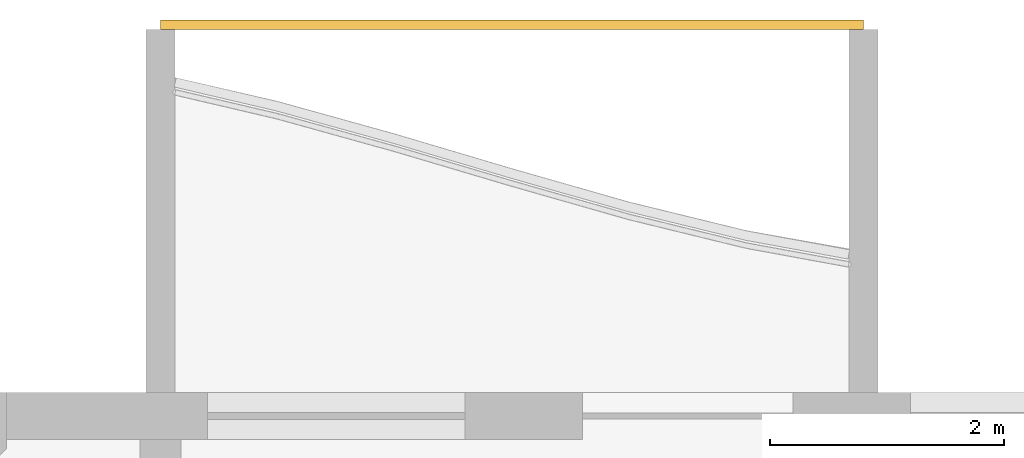
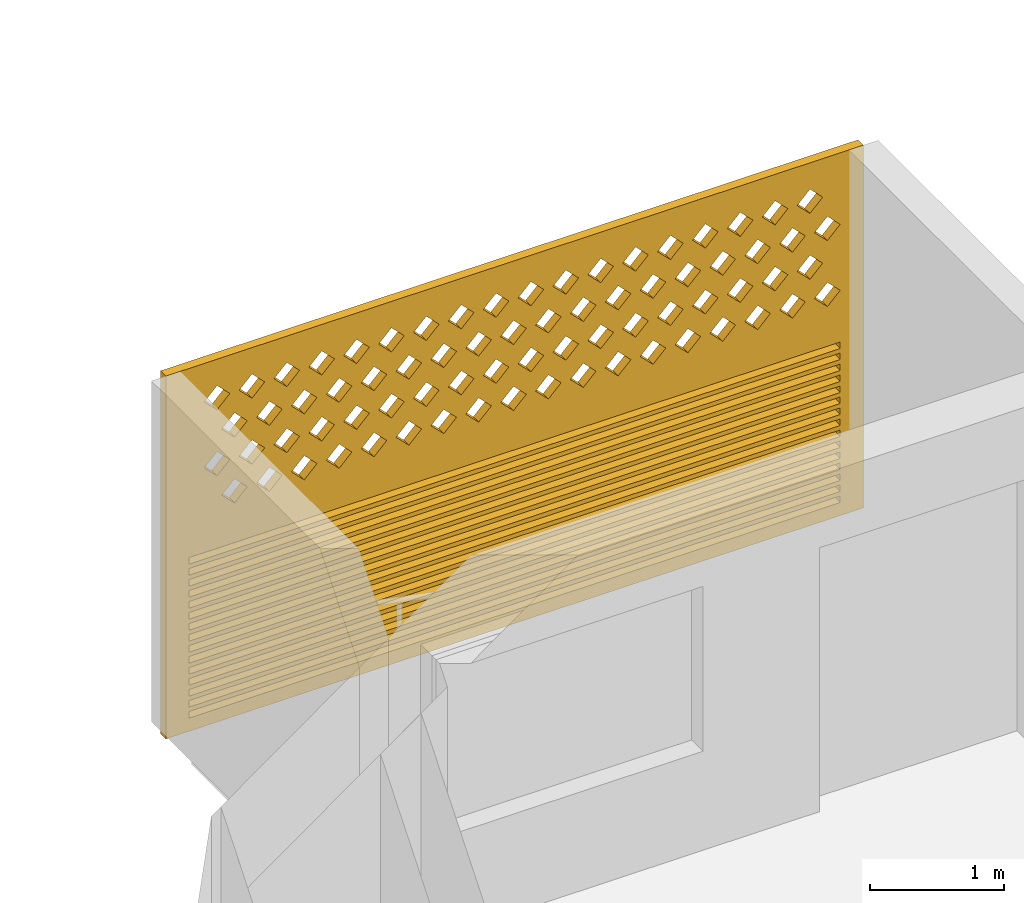
# One storey, part 20 of 31: 1 covering.
"""IFC4 building model written with IfcOpenShell, lengths in metres."""

from ifc_helpers import new_model, si_unit, direction, frame, origin, place, context, subcontext, project, spatial, polyline, outline, extrude, source, transform, mapped, material, material_profile, profile_set, type_object, element, save


model = new_model("IFC4")

# Units and contexts
model_context = context("Model", 3, precision=1e-05, world=origin(), true_north=direction((0.0, 1.0)))
body_context = subcontext(model_context, "Body", "Model", "MODEL_VIEW")
ifc_project = project(units=[si_unit("LENGTHUNIT", "METRE"), si_unit("AREAUNIT", "SQUARE_METRE"), si_unit("VOLUMEUNIT", "CUBIC_METRE"), si_unit("PLANEANGLEUNIT", "RADIAN"), si_unit("MASSUNIT", "GRAM", prefix="KILO")], contexts=[model_context])

# Site, building, storey
site_placement = place(None, origin())
site = spatial("IfcSite", under=ifc_project, at=site_placement, CompositionType="ELEMENT")
building_placement = place(site_placement, origin())
building = spatial("IfcBuilding", under=site, at=building_placement, Name="Poui Terraces", CompositionType="ELEMENT")
storey_placement = place(building_placement, frame((0.0, 0.0, 82.800048828125)))
storey = spatial("IfcBuildingStorey", under=building, at=storey_placement, Name="L22", CompositionType="ELEMENT", Elevation=82.800048828125)

# Covering
ifc_material = material(Name="Terracotta screen", Category="masonry")
ifc_material_profile = material_profile(ifc_material, outline(polyline([(-3.0, -1.64990234375), (3.0, -1.64990234375), (3.0, 1.64990234375), (-3.0, 1.64990234375), (-3.0, -1.64990234375)]), holes=[polyline([(-2.800048828125, 0.39990234375), (-2.68994140625, 0.2900390625), (-2.580078125, 0.39990234375), (-2.68994140625, 0.510009765625), (-2.800048828125, 0.39990234375)]), polyline([(-2.5, 0.39990234375), (-2.389892578125, 0.2900390625), (-2.280029296875, 0.39990234375), (-2.389892578125, 0.510009765625), (-2.5, 0.39990234375)]), polyline([(-2.199951171875, 0.39990234375), (-2.090087890625, 0.2900390625), (-1.97998046875, 0.39990234375), (-2.090087890625, 0.510009765625), (-2.199951171875, 0.39990234375)]), polyline([(-1.89990234375, 0.39990234375), (-1.7900390625, 0.2900390625), (-1.679931640625, 0.39990234375), (-1.7900390625, 0.510009765625), (-1.89990234375, 0.39990234375)]), polyline([(-1.60009765625, 0.39990234375), (-1.489990234375, 0.2900390625), (-1.3798828125, 0.39990234375), (-1.489990234375, 0.510009765625), (-1.60009765625, 0.39990234375)]), polyline([(-1.300048828125, 0.39990234375), (-1.18994140625, 0.2900390625), (-1.080078125, 0.39990234375), (-1.18994140625, 0.510009765625), (-1.300048828125, 0.39990234375)]), polyline([(-1.0, 0.39990234375), (-0.889892578125, 0.2900390625), (-0.780029296875, 0.39990234375), (-0.889892578125, 0.510009765625), (-1.0, 0.39990234375)]), polyline([(-0.699951171875, 0.39990234375), (-0.590087890625, 0.2900390625), (-0.47998046875, 0.39990234375), (-0.590087890625, 0.510009765625), (-0.699951171875, 0.39990234375)]), polyline([(-0.39990234375, 0.39990234375), (-0.2900390625, 0.2900390625), (-0.179931640625, 0.39990234375), (-0.2900390625, 0.510009765625), (-0.39990234375, 0.39990234375)]), polyline([(-0.10009765625, 0.39990234375), (0.010009765625, 0.2900390625), (0.1201171875, 0.39990234375), (0.010009765625, 0.510009765625), (-0.10009765625, 0.39990234375)]), polyline([(0.199951171875, 0.39990234375), (0.31005859375, 0.2900390625), (0.419921875, 0.39990234375), (0.31005859375, 0.510009765625), (0.199951171875, 0.39990234375)]), polyline([(0.5, 0.39990234375), (0.610107421875, 0.2900390625), (0.719970703125, 0.39990234375), (0.610107421875, 0.510009765625), (0.5, 0.39990234375)]), polyline([(0.800048828125, 0.39990234375), (0.909912109375, 0.2900390625), (1.02001953125, 0.39990234375), (0.909912109375, 0.510009765625), (0.800048828125, 0.39990234375)]), polyline([(1.10009765625, 0.39990234375), (1.2099609375, 0.2900390625), (1.320068359375, 0.39990234375), (1.2099609375, 0.510009765625), (1.10009765625, 0.39990234375)]), polyline([(1.39990234375, 0.39990234375), (1.510009765625, 0.2900390625), (1.6201171875, 0.39990234375), (1.510009765625, 0.510009765625), (1.39990234375, 0.39990234375)]), polyline([(1.699951171875, 0.39990234375), (1.81005859375, 0.2900390625), (1.919921875, 0.39990234375), (1.81005859375, 0.510009765625), (1.699951171875, 0.39990234375)]), polyline([(2.0, 0.39990234375), (2.110107421875, 0.2900390625), (2.219970703125, 0.39990234375), (2.110107421875, 0.510009765625), (2.0, 0.39990234375)]), polyline([(2.300048828125, 0.39990234375), (2.409912109375, 0.2900390625), (2.52001953125, 0.39990234375), (2.409912109375, 0.510009765625), (2.300048828125, 0.39990234375)]), polyline([(-2.64990234375, 0.699951171875), (-2.5400390625, 0.590087890625), (-2.429931640625, 0.699951171875), (-2.5400390625, 0.81005859375), (-2.64990234375, 0.699951171875)]), polyline([(-2.35009765625, 0.699951171875), (-2.239990234375, 0.590087890625), (-2.1298828125, 0.699951171875), (-2.239990234375, 0.81005859375), (-2.35009765625, 0.699951171875)]), polyline([(-2.050048828125, 0.699951171875), (-1.93994140625, 0.590087890625), (-1.830078125, 0.699951171875), (-1.93994140625, 0.81005859375), (-2.050048828125, 0.699951171875)]), polyline([(-1.75, 0.699951171875), (-1.639892578125, 0.590087890625), (-1.530029296875, 0.699951171875), (-1.639892578125, 0.81005859375), (-1.75, 0.699951171875)]), polyline([(-1.449951171875, 0.699951171875), (-1.340087890625, 0.590087890625), (-1.22998046875, 0.699951171875), (-1.340087890625, 0.81005859375), (-1.449951171875, 0.699951171875)]), polyline([(-1.14990234375, 0.699951171875), (-1.0400390625, 0.590087890625), (-0.929931640625, 0.699951171875), (-1.0400390625, 0.81005859375), (-1.14990234375, 0.699951171875)]), polyline([(-0.85009765625, 0.699951171875), (-0.739990234375, 0.590087890625), (-0.6298828125, 0.699951171875), (-0.739990234375, 0.81005859375), (-0.85009765625, 0.699951171875)]), polyline([(-0.550048828125, 0.699951171875), (-0.43994140625, 0.590087890625), (-0.330078125, 0.699951171875), (-0.43994140625, 0.81005859375), (-0.550048828125, 0.699951171875)]), polyline([(-0.25, 0.699951171875), (-0.139892578125, 0.590087890625), (-0.030029296875, 0.699951171875), (-0.139892578125, 0.81005859375), (-0.25, 0.699951171875)]), polyline([(0.050048828125, 0.699951171875), (0.159912109375, 0.590087890625), (0.27001953125, 0.699951171875), (0.159912109375, 0.81005859375), (0.050048828125, 0.699951171875)]), polyline([(0.35009765625, 0.699951171875), (0.4599609375, 0.590087890625), (0.570068359375, 0.699951171875), (0.4599609375, 0.81005859375), (0.35009765625, 0.699951171875)]), polyline([(0.64990234375, 0.699951171875), (0.760009765625, 0.590087890625), (0.8701171875, 0.699951171875), (0.760009765625, 0.81005859375), (0.64990234375, 0.699951171875)]), polyline([(0.949951171875, 0.699951171875), (1.06005859375, 0.590087890625), (1.169921875, 0.699951171875), (1.06005859375, 0.81005859375), (0.949951171875, 0.699951171875)]), polyline([(1.25, 0.699951171875), (1.360107421875, 0.590087890625), (1.469970703125, 0.699951171875), (1.360107421875, 0.81005859375), (1.25, 0.699951171875)]), polyline([(1.550048828125, 0.699951171875), (1.659912109375, 0.590087890625), (1.77001953125, 0.699951171875), (1.659912109375, 0.81005859375), (1.550048828125, 0.699951171875)]), polyline([(1.85009765625, 0.699951171875), (1.9599609375, 0.590087890625), (2.070068359375, 0.699951171875), (1.9599609375, 0.81005859375), (1.85009765625, 0.699951171875)]), polyline([(2.14990234375, 0.699951171875), (2.260009765625, 0.590087890625), (2.3701171875, 0.699951171875), (2.260009765625, 0.81005859375), (2.14990234375, 0.699951171875)]), polyline([(2.449951171875, 0.699951171875), (2.56005859375, 0.590087890625), (2.669921875, 0.699951171875), (2.56005859375, 0.81005859375), (2.449951171875, 0.699951171875)]), polyline([(-2.800048828125, 1.0), (-2.68994140625, 0.889892578125), (-2.580078125, 1.0), (-2.68994140625, 1.110107421875), (-2.800048828125, 1.0)]), polyline([(-2.5, 1.0), (-2.389892578125, 0.889892578125), (-2.280029296875, 1.0), (-2.389892578125, 1.110107421875), (-2.5, 1.0)]), polyline([(-2.199951171875, 1.0), (-2.090087890625, 0.889892578125), (-1.97998046875, 1.0), (-2.090087890625, 1.110107421875), (-2.199951171875, 1.0)]), polyline([(-1.89990234375, 1.0), (-1.7900390625, 0.889892578125), (-1.679931640625, 1.0), (-1.7900390625, 1.110107421875), (-1.89990234375, 1.0)]), polyline([(-1.60009765625, 1.0), (-1.489990234375, 0.889892578125), (-1.3798828125, 1.0), (-1.489990234375, 1.110107421875), (-1.60009765625, 1.0)]), polyline([(-1.300048828125, 1.0), (-1.18994140625, 0.889892578125), (-1.080078125, 1.0), (-1.18994140625, 1.110107421875), (-1.300048828125, 1.0)]), polyline([(-1.0, 1.0), (-0.889892578125, 0.889892578125), (-0.780029296875, 1.0), (-0.889892578125, 1.110107421875), (-1.0, 1.0)]), polyline([(-0.699951171875, 1.0), (-0.590087890625, 0.889892578125), (-0.47998046875, 1.0), (-0.590087890625, 1.110107421875), (-0.699951171875, 1.0)]), polyline([(-0.39990234375, 1.0), (-0.2900390625, 0.889892578125), (-0.179931640625, 1.0), (-0.2900390625, 1.110107421875), (-0.39990234375, 1.0)]), polyline([(-0.10009765625, 1.0), (0.010009765625, 0.889892578125), (0.1201171875, 1.0), (0.010009765625, 1.110107421875), (-0.10009765625, 1.0)]), polyline([(0.199951171875, 1.0), (0.31005859375, 0.889892578125), (0.419921875, 1.0), (0.31005859375, 1.110107421875), (0.199951171875, 1.0)]), polyline([(0.5, 1.0), (0.610107421875, 0.889892578125), (0.719970703125, 1.0), (0.610107421875, 1.110107421875), (0.5, 1.0)]), polyline([(0.800048828125, 1.0), (0.909912109375, 0.889892578125), (1.02001953125, 1.0), (0.909912109375, 1.110107421875), (0.800048828125, 1.0)]), polyline([(1.10009765625, 1.0), (1.2099609375, 0.889892578125), (1.320068359375, 1.0), (1.2099609375, 1.110107421875), (1.10009765625, 1.0)]), polyline([(1.39990234375, 1.0), (1.510009765625, 0.889892578125), (1.6201171875, 1.0), (1.510009765625, 1.110107421875), (1.39990234375, 1.0)]), polyline([(1.699951171875, 1.0), (1.81005859375, 0.889892578125), (1.919921875, 1.0), (1.81005859375, 1.110107421875), (1.699951171875, 1.0)]), polyline([(2.0, 1.0), (2.110107421875, 0.889892578125), (2.219970703125, 1.0), (2.110107421875, 1.110107421875), (2.0, 1.0)]), polyline([(2.300048828125, 1.0), (2.409912109375, 0.889892578125), (2.52001953125, 1.0), (2.409912109375, 1.110107421875), (2.300048828125, 1.0)]), polyline([(-2.64990234375, 1.300048828125), (-2.5400390625, 1.18994140625), (-2.429931640625, 1.300048828125), (-2.5400390625, 1.409912109375), (-2.64990234375, 1.300048828125)]), polyline([(-2.35009765625, 1.300048828125), (-2.239990234375, 1.18994140625), (-2.1298828125, 1.300048828125), (-2.239990234375, 1.409912109375), (-2.35009765625, 1.300048828125)]), polyline([(-2.050048828125, 1.300048828125), (-1.93994140625, 1.18994140625), (-1.830078125, 1.300048828125), (-1.93994140625, 1.409912109375), (-2.050048828125, 1.300048828125)]), polyline([(-1.75, 1.300048828125), (-1.639892578125, 1.18994140625), (-1.530029296875, 1.300048828125), (-1.639892578125, 1.409912109375), (-1.75, 1.300048828125)]), polyline([(-1.449951171875, 1.300048828125), (-1.340087890625, 1.18994140625), (-1.22998046875, 1.300048828125), (-1.340087890625, 1.409912109375), (-1.449951171875, 1.300048828125)]), polyline([(-1.14990234375, 1.300048828125), (-1.0400390625, 1.18994140625), (-0.929931640625, 1.300048828125), (-1.0400390625, 1.409912109375), (-1.14990234375, 1.300048828125)]), polyline([(-0.85009765625, 1.300048828125), (-0.739990234375, 1.18994140625), (-0.6298828125, 1.300048828125), (-0.739990234375, 1.409912109375), (-0.85009765625, 1.300048828125)]), polyline([(-0.550048828125, 1.300048828125), (-0.43994140625, 1.18994140625), (-0.330078125, 1.300048828125), (-0.43994140625, 1.409912109375), (-0.550048828125, 1.300048828125)]), polyline([(-0.25, 1.300048828125), (-0.139892578125, 1.18994140625), (-0.030029296875, 1.300048828125), (-0.139892578125, 1.409912109375), (-0.25, 1.300048828125)]), polyline([(0.050048828125, 1.300048828125), (0.159912109375, 1.18994140625), (0.27001953125, 1.300048828125), (0.159912109375, 1.409912109375), (0.050048828125, 1.300048828125)]), polyline([(0.35009765625, 1.300048828125), (0.4599609375, 1.18994140625), (0.570068359375, 1.300048828125), (0.4599609375, 1.409912109375), (0.35009765625, 1.300048828125)]), polyline([(0.64990234375, 1.300048828125), (0.760009765625, 1.18994140625), (0.8701171875, 1.300048828125), (0.760009765625, 1.409912109375), (0.64990234375, 1.300048828125)]), polyline([(0.949951171875, 1.300048828125), (1.06005859375, 1.18994140625), (1.169921875, 1.300048828125), (1.06005859375, 1.409912109375), (0.949951171875, 1.300048828125)]), polyline([(1.25, 1.300048828125), (1.360107421875, 1.18994140625), (1.469970703125, 1.300048828125), (1.360107421875, 1.409912109375), (1.25, 1.300048828125)]), polyline([(1.550048828125, 1.300048828125), (1.659912109375, 1.18994140625), (1.77001953125, 1.300048828125), (1.659912109375, 1.409912109375), (1.550048828125, 1.300048828125)]), polyline([(1.85009765625, 1.300048828125), (1.9599609375, 1.18994140625), (2.070068359375, 1.300048828125), (1.9599609375, 1.409912109375), (1.85009765625, 1.300048828125)]), polyline([(2.14990234375, 1.300048828125), (2.260009765625, 1.18994140625), (2.3701171875, 1.300048828125), (2.260009765625, 1.409912109375), (2.14990234375, 1.300048828125)]), polyline([(2.449951171875, 1.300048828125), (2.56005859375, 1.18994140625), (2.669921875, 1.300048828125), (2.56005859375, 1.409912109375), (2.449951171875, 1.300048828125)]), polyline([(-2.800048828125, -1.530029296875), (2.800048828125, -1.530029296875), (2.800048828125, -1.469970703125), (-2.800048828125, -1.469970703125), (-2.800048828125, -1.530029296875)]), polyline([(-2.800048828125, -1.429931640625), (2.800048828125, -1.429931640625), (2.800048828125, -1.3701171875), (-2.800048828125, -1.3701171875), (-2.800048828125, -1.429931640625)]), polyline([(-2.800048828125, -1.330078125), (2.800048828125, -1.330078125), (2.800048828125, -1.27001953125), (-2.800048828125, -1.27001953125), (-2.800048828125, -1.330078125)]), polyline([(-2.800048828125, -1.22998046875), (2.800048828125, -1.22998046875), (2.800048828125, -1.169921875), (-2.800048828125, -1.169921875), (-2.800048828125, -1.22998046875)]), polyline([(-2.800048828125, -1.1298828125), (2.800048828125, -1.1298828125), (2.800048828125, -1.070068359375), (-2.800048828125, -1.070068359375), (-2.800048828125, -1.1298828125)]), polyline([(-2.800048828125, -1.030029296875), (2.800048828125, -1.030029296875), (2.800048828125, -0.969970703125), (-2.800048828125, -0.969970703125), (-2.800048828125, -1.030029296875)]), polyline([(-2.800048828125, -0.929931640625), (2.800048828125, -0.929931640625), (2.800048828125, -0.8701171875), (-2.800048828125, -0.8701171875), (-2.800048828125, -0.929931640625)]), polyline([(-2.800048828125, -0.830078125), (2.800048828125, -0.830078125), (2.800048828125, -0.77001953125), (-2.800048828125, -0.77001953125), (-2.800048828125, -0.830078125)]), polyline([(-2.800048828125, -0.72998046875), (2.800048828125, -0.72998046875), (2.800048828125, -0.669921875), (-2.800048828125, -0.669921875), (-2.800048828125, -0.72998046875)]), polyline([(-2.800048828125, -0.6298828125), (2.800048828125, -0.6298828125), (2.800048828125, -0.570068359375), (-2.800048828125, -0.570068359375), (-2.800048828125, -0.6298828125)]), polyline([(-2.800048828125, -0.530029296875), (2.800048828125, -0.530029296875), (2.800048828125, -0.469970703125), (-2.800048828125, -0.469970703125), (-2.800048828125, -0.530029296875)]), polyline([(-2.800048828125, -0.429931640625), (2.800048828125, -0.429931640625), (2.800048828125, -0.3701171875), (-2.800048828125, -0.3701171875), (-2.800048828125, -0.429931640625)]), polyline([(-2.800048828125, -0.330078125), (2.800048828125, -0.330078125), (2.800048828125, -0.27001953125), (-2.800048828125, -0.27001953125), (-2.800048828125, -0.330078125)]), polyline([(-2.800048828125, -0.22998046875), (2.800048828125, -0.22998046875), (2.800048828125, -0.169921875), (-2.800048828125, -0.169921875), (-2.800048828125, -0.22998046875)]), polyline([(-2.800048828125, -0.1298828125), (2.800048828125, -0.1298828125), (2.800048828125, -0.070068359375), (-2.800048828125, -0.070068359375), (-2.800048828125, -0.1298828125)])]), Name="TERRACOTTA SCREEN AND JALOUSIE LOUVRE 6000X3300")
ifc_profile_set = profile_set([ifc_material_profile], Name="Terracotta screen")
covering_type = type_object("IfcCoveringType", Name="TERRACOTTA SCREEN AND JALOUSIE LOUVRE 6000X3300", PredefinedType="CLADDING", material=ifc_profile_set)
shared_shape = source(origin(), body_context, "Body", "SweptSolid", [
    extrude(outline(polyline([(-3.0, -1.64990234375), (3.0, -1.64990234375), (3.0, 1.64990234375), (-3.0, 1.64990234375), (-3.0, -1.64990234375)]), holes=[polyline([(-2.800048828125, 0.39990234375), (-2.68994140625, 0.2900390625), (-2.580078125, 0.39990234375), (-2.68994140625, 0.510009765625), (-2.800048828125, 0.39990234375)]), polyline([(-2.5, 0.39990234375), (-2.389892578125, 0.2900390625), (-2.280029296875, 0.39990234375), (-2.389892578125, 0.510009765625), (-2.5, 0.39990234375)]), polyline([(-2.199951171875, 0.39990234375), (-2.090087890625, 0.2900390625), (-1.97998046875, 0.39990234375), (-2.090087890625, 0.510009765625), (-2.199951171875, 0.39990234375)]), polyline([(-1.89990234375, 0.39990234375), (-1.7900390625, 0.2900390625), (-1.679931640625, 0.39990234375), (-1.7900390625, 0.510009765625), (-1.89990234375, 0.39990234375)]), polyline([(-1.60009765625, 0.39990234375), (-1.489990234375, 0.2900390625), (-1.3798828125, 0.39990234375), (-1.489990234375, 0.510009765625), (-1.60009765625, 0.39990234375)]), polyline([(-1.300048828125, 0.39990234375), (-1.18994140625, 0.2900390625), (-1.080078125, 0.39990234375), (-1.18994140625, 0.510009765625), (-1.300048828125, 0.39990234375)]), polyline([(-1.0, 0.39990234375), (-0.889892578125, 0.2900390625), (-0.780029296875, 0.39990234375), (-0.889892578125, 0.510009765625), (-1.0, 0.39990234375)]), polyline([(-0.699951171875, 0.39990234375), (-0.590087890625, 0.2900390625), (-0.47998046875, 0.39990234375), (-0.590087890625, 0.510009765625), (-0.699951171875, 0.39990234375)]), polyline([(-0.39990234375, 0.39990234375), (-0.2900390625, 0.2900390625), (-0.179931640625, 0.39990234375), (-0.2900390625, 0.510009765625), (-0.39990234375, 0.39990234375)]), polyline([(-0.10009765625, 0.39990234375), (0.010009765625, 0.2900390625), (0.1201171875, 0.39990234375), (0.010009765625, 0.510009765625), (-0.10009765625, 0.39990234375)]), polyline([(0.199951171875, 0.39990234375), (0.31005859375, 0.2900390625), (0.419921875, 0.39990234375), (0.31005859375, 0.510009765625), (0.199951171875, 0.39990234375)]), polyline([(0.5, 0.39990234375), (0.610107421875, 0.2900390625), (0.719970703125, 0.39990234375), (0.610107421875, 0.510009765625), (0.5, 0.39990234375)]), polyline([(0.800048828125, 0.39990234375), (0.909912109375, 0.2900390625), (1.02001953125, 0.39990234375), (0.909912109375, 0.510009765625), (0.800048828125, 0.39990234375)]), polyline([(1.10009765625, 0.39990234375), (1.2099609375, 0.2900390625), (1.320068359375, 0.39990234375), (1.2099609375, 0.510009765625), (1.10009765625, 0.39990234375)]), polyline([(1.39990234375, 0.39990234375), (1.510009765625, 0.2900390625), (1.6201171875, 0.39990234375), (1.510009765625, 0.510009765625), (1.39990234375, 0.39990234375)]), polyline([(1.699951171875, 0.39990234375), (1.81005859375, 0.2900390625), (1.919921875, 0.39990234375), (1.81005859375, 0.510009765625), (1.699951171875, 0.39990234375)]), polyline([(2.0, 0.39990234375), (2.110107421875, 0.2900390625), (2.219970703125, 0.39990234375), (2.110107421875, 0.510009765625), (2.0, 0.39990234375)]), polyline([(2.300048828125, 0.39990234375), (2.409912109375, 0.2900390625), (2.52001953125, 0.39990234375), (2.409912109375, 0.510009765625), (2.300048828125, 0.39990234375)]), polyline([(-2.64990234375, 0.699951171875), (-2.5400390625, 0.590087890625), (-2.429931640625, 0.699951171875), (-2.5400390625, 0.81005859375), (-2.64990234375, 0.699951171875)]), polyline([(-2.35009765625, 0.699951171875), (-2.239990234375, 0.590087890625), (-2.1298828125, 0.699951171875), (-2.239990234375, 0.81005859375), (-2.35009765625, 0.699951171875)]), polyline([(-2.050048828125, 0.699951171875), (-1.93994140625, 0.590087890625), (-1.830078125, 0.699951171875), (-1.93994140625, 0.81005859375), (-2.050048828125, 0.699951171875)]), polyline([(-1.75, 0.699951171875), (-1.639892578125, 0.590087890625), (-1.530029296875, 0.699951171875), (-1.639892578125, 0.81005859375), (-1.75, 0.699951171875)]), polyline([(-1.449951171875, 0.699951171875), (-1.340087890625, 0.590087890625), (-1.22998046875, 0.699951171875), (-1.340087890625, 0.81005859375), (-1.449951171875, 0.699951171875)]), polyline([(-1.14990234375, 0.699951171875), (-1.0400390625, 0.590087890625), (-0.929931640625, 0.699951171875), (-1.0400390625, 0.81005859375), (-1.14990234375, 0.699951171875)]), polyline([(-0.85009765625, 0.699951171875), (-0.739990234375, 0.590087890625), (-0.6298828125, 0.699951171875), (-0.739990234375, 0.81005859375), (-0.85009765625, 0.699951171875)]), polyline([(-0.550048828125, 0.699951171875), (-0.43994140625, 0.590087890625), (-0.330078125, 0.699951171875), (-0.43994140625, 0.81005859375), (-0.550048828125, 0.699951171875)]), polyline([(-0.25, 0.699951171875), (-0.139892578125, 0.590087890625), (-0.030029296875, 0.699951171875), (-0.139892578125, 0.81005859375), (-0.25, 0.699951171875)]), polyline([(0.050048828125, 0.699951171875), (0.159912109375, 0.590087890625), (0.27001953125, 0.699951171875), (0.159912109375, 0.81005859375), (0.050048828125, 0.699951171875)]), polyline([(0.35009765625, 0.699951171875), (0.4599609375, 0.590087890625), (0.570068359375, 0.699951171875), (0.4599609375, 0.81005859375), (0.35009765625, 0.699951171875)]), polyline([(0.64990234375, 0.699951171875), (0.760009765625, 0.590087890625), (0.8701171875, 0.699951171875), (0.760009765625, 0.81005859375), (0.64990234375, 0.699951171875)]), polyline([(0.949951171875, 0.699951171875), (1.06005859375, 0.590087890625), (1.169921875, 0.699951171875), (1.06005859375, 0.81005859375), (0.949951171875, 0.699951171875)]), polyline([(1.25, 0.699951171875), (1.360107421875, 0.590087890625), (1.469970703125, 0.699951171875), (1.360107421875, 0.81005859375), (1.25, 0.699951171875)]), polyline([(1.550048828125, 0.699951171875), (1.659912109375, 0.590087890625), (1.77001953125, 0.699951171875), (1.659912109375, 0.81005859375), (1.550048828125, 0.699951171875)]), polyline([(1.85009765625, 0.699951171875), (1.9599609375, 0.590087890625), (2.070068359375, 0.699951171875), (1.9599609375, 0.81005859375), (1.85009765625, 0.699951171875)]), polyline([(2.14990234375, 0.699951171875), (2.260009765625, 0.590087890625), (2.3701171875, 0.699951171875), (2.260009765625, 0.81005859375), (2.14990234375, 0.699951171875)]), polyline([(2.449951171875, 0.699951171875), (2.56005859375, 0.590087890625), (2.669921875, 0.699951171875), (2.56005859375, 0.81005859375), (2.449951171875, 0.699951171875)]), polyline([(-2.800048828125, 1.0), (-2.68994140625, 0.889892578125), (-2.580078125, 1.0), (-2.68994140625, 1.110107421875), (-2.800048828125, 1.0)]), polyline([(-2.5, 1.0), (-2.389892578125, 0.889892578125), (-2.280029296875, 1.0), (-2.389892578125, 1.110107421875), (-2.5, 1.0)]), polyline([(-2.199951171875, 1.0), (-2.090087890625, 0.889892578125), (-1.97998046875, 1.0), (-2.090087890625, 1.110107421875), (-2.199951171875, 1.0)]), polyline([(-1.89990234375, 1.0), (-1.7900390625, 0.889892578125), (-1.679931640625, 1.0), (-1.7900390625, 1.110107421875), (-1.89990234375, 1.0)]), polyline([(-1.60009765625, 1.0), (-1.489990234375, 0.889892578125), (-1.3798828125, 1.0), (-1.489990234375, 1.110107421875), (-1.60009765625, 1.0)]), polyline([(-1.300048828125, 1.0), (-1.18994140625, 0.889892578125), (-1.080078125, 1.0), (-1.18994140625, 1.110107421875), (-1.300048828125, 1.0)]), polyline([(-1.0, 1.0), (-0.889892578125, 0.889892578125), (-0.780029296875, 1.0), (-0.889892578125, 1.110107421875), (-1.0, 1.0)]), polyline([(-0.699951171875, 1.0), (-0.590087890625, 0.889892578125), (-0.47998046875, 1.0), (-0.590087890625, 1.110107421875), (-0.699951171875, 1.0)]), polyline([(-0.39990234375, 1.0), (-0.2900390625, 0.889892578125), (-0.179931640625, 1.0), (-0.2900390625, 1.110107421875), (-0.39990234375, 1.0)]), polyline([(-0.10009765625, 1.0), (0.010009765625, 0.889892578125), (0.1201171875, 1.0), (0.010009765625, 1.110107421875), (-0.10009765625, 1.0)]), polyline([(0.199951171875, 1.0), (0.31005859375, 0.889892578125), (0.419921875, 1.0), (0.31005859375, 1.110107421875), (0.199951171875, 1.0)]), polyline([(0.5, 1.0), (0.610107421875, 0.889892578125), (0.719970703125, 1.0), (0.610107421875, 1.110107421875), (0.5, 1.0)]), polyline([(0.800048828125, 1.0), (0.909912109375, 0.889892578125), (1.02001953125, 1.0), (0.909912109375, 1.110107421875), (0.800048828125, 1.0)]), polyline([(1.10009765625, 1.0), (1.2099609375, 0.889892578125), (1.320068359375, 1.0), (1.2099609375, 1.110107421875), (1.10009765625, 1.0)]), polyline([(1.39990234375, 1.0), (1.510009765625, 0.889892578125), (1.6201171875, 1.0), (1.510009765625, 1.110107421875), (1.39990234375, 1.0)]), polyline([(1.699951171875, 1.0), (1.81005859375, 0.889892578125), (1.919921875, 1.0), (1.81005859375, 1.110107421875), (1.699951171875, 1.0)]), polyline([(2.0, 1.0), (2.110107421875, 0.889892578125), (2.219970703125, 1.0), (2.110107421875, 1.110107421875), (2.0, 1.0)]), polyline([(2.300048828125, 1.0), (2.409912109375, 0.889892578125), (2.52001953125, 1.0), (2.409912109375, 1.110107421875), (2.300048828125, 1.0)]), polyline([(-2.64990234375, 1.300048828125), (-2.5400390625, 1.18994140625), (-2.429931640625, 1.300048828125), (-2.5400390625, 1.409912109375), (-2.64990234375, 1.300048828125)]), polyline([(-2.35009765625, 1.300048828125), (-2.239990234375, 1.18994140625), (-2.1298828125, 1.300048828125), (-2.239990234375, 1.409912109375), (-2.35009765625, 1.300048828125)]), polyline([(-2.050048828125, 1.300048828125), (-1.93994140625, 1.18994140625), (-1.830078125, 1.300048828125), (-1.93994140625, 1.409912109375), (-2.050048828125, 1.300048828125)]), polyline([(-1.75, 1.300048828125), (-1.639892578125, 1.18994140625), (-1.530029296875, 1.300048828125), (-1.639892578125, 1.409912109375), (-1.75, 1.300048828125)]), polyline([(-1.449951171875, 1.300048828125), (-1.340087890625, 1.18994140625), (-1.22998046875, 1.300048828125), (-1.340087890625, 1.409912109375), (-1.449951171875, 1.300048828125)]), polyline([(-1.14990234375, 1.300048828125), (-1.0400390625, 1.18994140625), (-0.929931640625, 1.300048828125), (-1.0400390625, 1.409912109375), (-1.14990234375, 1.300048828125)]), polyline([(-0.85009765625, 1.300048828125), (-0.739990234375, 1.18994140625), (-0.6298828125, 1.300048828125), (-0.739990234375, 1.409912109375), (-0.85009765625, 1.300048828125)]), polyline([(-0.550048828125, 1.300048828125), (-0.43994140625, 1.18994140625), (-0.330078125, 1.300048828125), (-0.43994140625, 1.409912109375), (-0.550048828125, 1.300048828125)]), polyline([(-0.25, 1.300048828125), (-0.139892578125, 1.18994140625), (-0.030029296875, 1.300048828125), (-0.139892578125, 1.409912109375), (-0.25, 1.300048828125)]), polyline([(0.050048828125, 1.300048828125), (0.159912109375, 1.18994140625), (0.27001953125, 1.300048828125), (0.159912109375, 1.409912109375), (0.050048828125, 1.300048828125)]), polyline([(0.35009765625, 1.300048828125), (0.4599609375, 1.18994140625), (0.570068359375, 1.300048828125), (0.4599609375, 1.409912109375), (0.35009765625, 1.300048828125)]), polyline([(0.64990234375, 1.300048828125), (0.760009765625, 1.18994140625), (0.8701171875, 1.300048828125), (0.760009765625, 1.409912109375), (0.64990234375, 1.300048828125)]), polyline([(0.949951171875, 1.300048828125), (1.06005859375, 1.18994140625), (1.169921875, 1.300048828125), (1.06005859375, 1.409912109375), (0.949951171875, 1.300048828125)]), polyline([(1.25, 1.300048828125), (1.360107421875, 1.18994140625), (1.469970703125, 1.300048828125), (1.360107421875, 1.409912109375), (1.25, 1.300048828125)]), polyline([(1.550048828125, 1.300048828125), (1.659912109375, 1.18994140625), (1.77001953125, 1.300048828125), (1.659912109375, 1.409912109375), (1.550048828125, 1.300048828125)]), polyline([(1.85009765625, 1.300048828125), (1.9599609375, 1.18994140625), (2.070068359375, 1.300048828125), (1.9599609375, 1.409912109375), (1.85009765625, 1.300048828125)]), polyline([(2.14990234375, 1.300048828125), (2.260009765625, 1.18994140625), (2.3701171875, 1.300048828125), (2.260009765625, 1.409912109375), (2.14990234375, 1.300048828125)]), polyline([(2.449951171875, 1.300048828125), (2.56005859375, 1.18994140625), (2.669921875, 1.300048828125), (2.56005859375, 1.409912109375), (2.449951171875, 1.300048828125)]), polyline([(-2.800048828125, -1.530029296875), (2.800048828125, -1.530029296875), (2.800048828125, -1.469970703125), (-2.800048828125, -1.469970703125), (-2.800048828125, -1.530029296875)]), polyline([(-2.800048828125, -1.429931640625), (2.800048828125, -1.429931640625), (2.800048828125, -1.3701171875), (-2.800048828125, -1.3701171875), (-2.800048828125, -1.429931640625)]), polyline([(-2.800048828125, -1.330078125), (2.800048828125, -1.330078125), (2.800048828125, -1.27001953125), (-2.800048828125, -1.27001953125), (-2.800048828125, -1.330078125)]), polyline([(-2.800048828125, -1.22998046875), (2.800048828125, -1.22998046875), (2.800048828125, -1.169921875), (-2.800048828125, -1.169921875), (-2.800048828125, -1.22998046875)]), polyline([(-2.800048828125, -1.1298828125), (2.800048828125, -1.1298828125), (2.800048828125, -1.070068359375), (-2.800048828125, -1.070068359375), (-2.800048828125, -1.1298828125)]), polyline([(-2.800048828125, -1.030029296875), (2.800048828125, -1.030029296875), (2.800048828125, -0.969970703125), (-2.800048828125, -0.969970703125), (-2.800048828125, -1.030029296875)]), polyline([(-2.800048828125, -0.929931640625), (2.800048828125, -0.929931640625), (2.800048828125, -0.8701171875), (-2.800048828125, -0.8701171875), (-2.800048828125, -0.929931640625)]), polyline([(-2.800048828125, -0.830078125), (2.800048828125, -0.830078125), (2.800048828125, -0.77001953125), (-2.800048828125, -0.77001953125), (-2.800048828125, -0.830078125)]), polyline([(-2.800048828125, -0.72998046875), (2.800048828125, -0.72998046875), (2.800048828125, -0.669921875), (-2.800048828125, -0.669921875), (-2.800048828125, -0.72998046875)]), polyline([(-2.800048828125, -0.6298828125), (2.800048828125, -0.6298828125), (2.800048828125, -0.570068359375), (-2.800048828125, -0.570068359375), (-2.800048828125, -0.6298828125)]), polyline([(-2.800048828125, -0.530029296875), (2.800048828125, -0.530029296875), (2.800048828125, -0.469970703125), (-2.800048828125, -0.469970703125), (-2.800048828125, -0.530029296875)]), polyline([(-2.800048828125, -0.429931640625), (2.800048828125, -0.429931640625), (2.800048828125, -0.3701171875), (-2.800048828125, -0.3701171875), (-2.800048828125, -0.429931640625)]), polyline([(-2.800048828125, -0.330078125), (2.800048828125, -0.330078125), (2.800048828125, -0.27001953125), (-2.800048828125, -0.27001953125), (-2.800048828125, -0.330078125)]), polyline([(-2.800048828125, -0.22998046875), (2.800048828125, -0.22998046875), (2.800048828125, -0.169921875), (-2.800048828125, -0.169921875), (-2.800048828125, -0.22998046875)]), polyline([(-2.800048828125, -0.1298828125), (2.800048828125, -0.1298828125), (2.800048828125, -0.070068359375), (-2.800048828125, -0.070068359375), (-2.800048828125, -0.1298828125)])]), origin(), (0.0, 0.0, 1.0), 0.080078125),
])
covering_placement = place(storey_placement, frame((15.0, 46.89990234375, 1.449951171875), z_axis=(0.0, 1.0, 0.0), x_axis=(-1.0, 0.0, 0.0)))
element("IfcCovering", 1, at=covering_placement, inside=storey, type_object=covering_type, Name="SOLAR SCREEN AND JALOUSIE LOUVRE", PredefinedType="CLADDING", context=body_context, shape_type="MappedRepresentation", body=[
    mapped(shared_shape, transform((0.0, 0.0, 0.0))),
])

save(model, "model.ifc")
